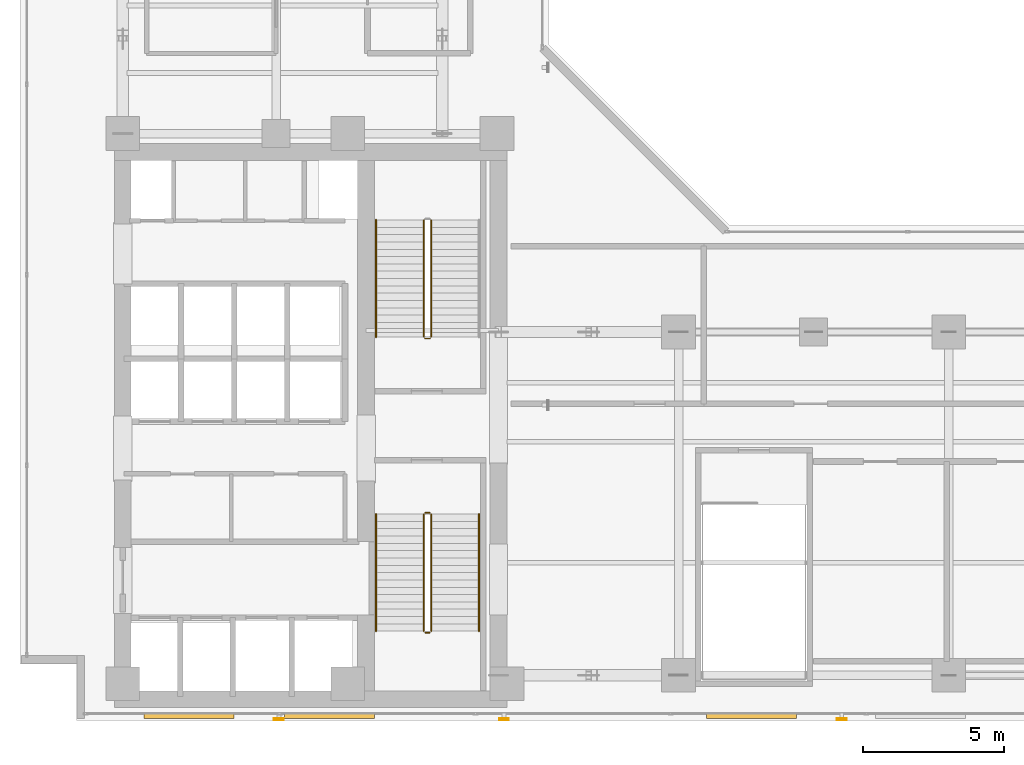
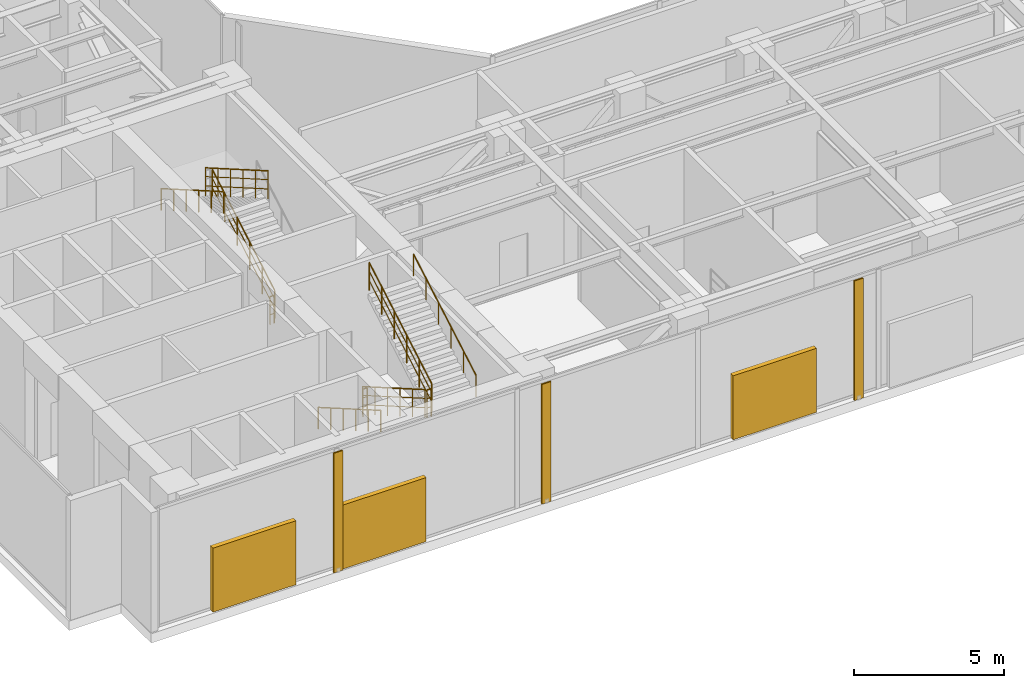
# One storey, part 34 of 36: 10 railings, 6 shading devices.
"""IFC4 building model written with IfcOpenShell, lengths in metres."""

from ifc_helpers import new_model, si_unit, direction, frame, origin, origin_with_axes, origin_2d, place, context, subcontext, project, spatial, rectangle, hollow_rectangle, circle, extrude, source, transform, mapped, material, material_profile, profile_set, type_object, element, save


model = new_model("IFC4")

# Units and contexts
model_context = context("Model", 3, precision=1e-05, world=origin(), true_north=direction((0.0, 1.0)))
body_context = subcontext(model_context, "Body", "Model", "MODEL_VIEW")
ifc_project = project(units=[si_unit("LENGTHUNIT", "METRE"), si_unit("AREAUNIT", "SQUARE_METRE"), si_unit("VOLUMEUNIT", "CUBIC_METRE"), si_unit("PLANEANGLEUNIT", "RADIAN"), si_unit("MASSUNIT", "GRAM", prefix="KILO")], contexts=[model_context])

# Site, building, storey
site_placement = place(None, origin())
site = spatial("IfcSite", under=ifc_project, at=site_placement, CompositionType="ELEMENT")
building_placement = place(site_placement, origin())
building = spatial("IfcBuilding", under=site, at=building_placement, Name="Kolvaren Waterfront Exchange", CompositionType="ELEMENT")
storey_placement = place(building_placement, frame((0.0, 0.0, 199.39990234375)))
storey = spatial("IfcBuildingStorey", under=building, at=storey_placement, Name="L51", CompositionType="ELEMENT", Elevation=199.39990234375)

# Shading devices
ifc_material_1 = material(Name="Anodised bronze aluminium 6063-T6", Category="aluminium")
ifc_material_profile = material_profile(ifc_material_1, hollow_rectangle(XDim=0.06005859375, YDim=0.35009765625, WallThickness=0.0048828125, at=origin_2d()), Name="BRZ-FIN-350x60x5")
ifc_profile_set = profile_set([ifc_material_profile], Name="Anodised bronze aluminium 6063-T6")
shading_device_type_1 = type_object("IfcShadingDeviceType", Name="ARC-FIN-350", PredefinedType="USERDEFINED", material=ifc_profile_set)
for number, where, z_axis, x_axis, name in (
    (1, (13.0, 3.639892578125, 0.0), (0.0, 0.0, 1.0), (0.0, -1.0, 0.0), "L51 anodised bronze solar shading fin FIN-L51-S1"),
    (2, (21.0, 3.639892578125, 0.0), (0.0, 0.0, 1.0), (0.0, -1.0, 0.0), "L51 anodised bronze solar shading fin FIN-L51-S2"),
    (3, (33.0, 3.639892578125, 0.0), (0.0, 0.0, 1.0), (0.0, -1.0, 0.0), "L51 anodised bronze solar shading fin FIN-L51-S3"),
):
    element("IfcShadingDevice", number, at=place(storey_placement, frame(where, z_axis=z_axis, x_axis=x_axis)), inside=storey, type_object=shading_device_type_1, Name=name, ObjectType="SOLAR FIN", PredefinedType="USERDEFINED", context=body_context, shape_type="SweptSolid", body=[
        extrude(hollow_rectangle(XDim=0.06005859375, YDim=0.35009765625, WallThickness=0.0048828125, at=origin_2d()), origin(), (0.0, 0.0, 1.0), 4.860107421875),
    ])

# Railings
ifc_material_2 = material(Name="Stainless steel 316", Category="steel")
railing_type_1 = type_object("IfcRailingType", Name="ARC-GUARD-STAIR", PredefinedType="GUARDRAIL", material=ifc_material_2)
railing_1_placement = place(storey_placement, frame((18.14990234375, 10.929931640625, 0.150146484375)))
element("IfcRailing", 4, at=railing_1_placement, inside=storey, type_object=railing_type_1, Name="L51 ST1 stair guard 1", PredefinedType="GUARDRAIL", context=body_context, shape_type="SweptSolid", body=[
    extrude(circle(Radius=0.02392578125, at=origin_2d()), frame((0.0, 0.0, 1.1259765625), z_axis=(0.0, -0.866189817626, 0.499715118684), x_axis=(1.0, 0.0, 0.0)), (0.0, 0.0, 1.0), 4.802490234375),
    extrude(circle(Radius=0.01611328125, at=origin_2d()), frame((0.0, 0.0, 0.390869140625), z_axis=(0.0, -0.866189817626, 0.499715118684), x_axis=(1.0, 0.0, 0.0)), (0.0, 0.0, 1.0), 4.802490234375),
    extrude(circle(Radius=0.01611328125, at=origin_2d()), frame((0.0, 0.0, 0.7705078125), z_axis=(0.0, -0.866189817626, 0.499715118684), x_axis=(1.0, 0.0, 0.0)), (0.0, 0.0, 1.0), 4.802490234375),
    extrude(circle(Radius=0.02099609375, at=origin_2d()), origin(), (0.0, 0.0, 1.0), 1.101806640625),
    extrude(circle(Radius=0.02099609375, at=origin_2d()), frame((0.0, -0.83203125, 0.47998046875)), (0.0, 0.0, 1.0), 1.101806640625),
    extrude(circle(Radius=0.02099609375, at=origin_2d()), frame((0.0, -1.6640625, 0.9599609375)), (0.0, 0.0, 1.0), 1.101806640625),
    extrude(circle(Radius=0.02099609375, at=origin_2d()), frame((0.0, -2.495849609375, 1.43994140625)), (0.0, 0.0, 1.0), 1.101806640625),
    extrude(circle(Radius=0.02099609375, at=origin_2d()), frame((0.0, -3.327880859375, 1.919921875)), (0.0, 0.0, 1.0), 1.101806640625),
    extrude(circle(Radius=0.02099609375, at=origin_2d()), frame((0.0, -4.159912109375, 2.39990234375)), (0.0, 0.0, 1.0), 1.101806640625),
])
railing_2_placement = place(storey_placement, frame((18.199951171875, 6.719970703125, 2.550048828125)))
element("IfcRailing", 5, at=railing_2_placement, inside=storey, type_object=railing_type_1, Name="L51 ST1 stair guard 2", PredefinedType="GUARDRAIL", context=body_context, shape_type="SweptSolid", body=[
    extrude(circle(Radius=0.02392578125, at=origin_2d()), frame((0.0, 0.0, 1.1259765625), z_axis=(1.0, 0.0, 0.0), x_axis=(0.0, 1.0, 0.0)), (0.0, 0.0, 1.0), 0.16015625),
    extrude(circle(Radius=0.01611328125, at=origin_2d()), frame((0.0, 0.0, 0.390869140625), z_axis=(1.0, 0.0, 0.0), x_axis=(0.0, 1.0, 0.0)), (0.0, 0.0, 1.0), 0.16015625),
    extrude(circle(Radius=0.01611328125, at=origin_2d()), frame((0.0, 0.0, 0.7705078125), z_axis=(1.0, 0.0, 0.0), x_axis=(0.0, 1.0, 0.0)), (0.0, 0.0, 1.0), 0.16015625),
    extrude(circle(Radius=0.02099609375, at=origin_2d()), origin(), (0.0, 0.0, 1.0), 1.101806640625),
    extrude(circle(Radius=0.02099609375, at=origin_2d()), frame((0.16015625, 0.0, 0.0)), (0.0, 0.0, 1.0), 1.101806640625),
])
railing_3_placement = place(storey_placement, frame((18.409912109375, 6.77001953125, 2.7001953125)))
element("IfcRailing", 6, at=railing_3_placement, inside=storey, type_object=railing_type_1, Name="L51 ST1 stair guard 3", PredefinedType="GUARDRAIL", context=body_context, shape_type="SweptSolid", body=[
    extrude(circle(Radius=0.02392578125, at=origin_2d()), frame((0.0, 0.0, 1.1259765625), z_axis=(0.0, 0.866189817626, 0.499715118684), x_axis=(-1.0, 0.0, 0.0)), (0.0, 0.0, 1.0), 4.802490234375),
    extrude(circle(Radius=0.01611328125, at=origin_2d()), frame((0.0, 0.0, 0.390869140625), z_axis=(0.0, 0.866189817626, 0.499715118684), x_axis=(-1.0, 0.0, 0.0)), (0.0, 0.0, 1.0), 4.802490234375),
    extrude(circle(Radius=0.01611328125, at=origin_2d()), frame((0.0, 0.0, 0.7705078125), z_axis=(0.0, 0.866189817626, 0.499715118684), x_axis=(-1.0, 0.0, 0.0)), (0.0, 0.0, 1.0), 4.802490234375),
    extrude(circle(Radius=0.02099609375, at=origin_2d()), origin(), (0.0, 0.0, 1.0), 1.101806640625),
    extrude(circle(Radius=0.02099609375, at=origin_2d()), frame((0.0, 0.83203125, 0.47998046875)), (0.0, 0.0, 1.0), 1.101806640625),
    extrude(circle(Radius=0.02099609375, at=origin_2d()), frame((0.0, 1.6640625, 0.9599609375)), (0.0, 0.0, 1.0), 1.101806640625),
    extrude(circle(Radius=0.02099609375, at=origin_2d()), frame((0.0, 2.495849609375, 1.43994140625)), (0.0, 0.0, 1.0), 1.101806640625),
    extrude(circle(Radius=0.02099609375, at=origin_2d()), frame((0.0, 3.327880859375, 1.919921875)), (0.0, 0.0, 1.0), 1.101806640625),
    extrude(circle(Radius=0.02099609375, at=origin_2d()), frame((0.0, 4.159912109375, 2.39990234375)), (0.0, 0.0, 1.0), 1.101806640625),
])
railing_4_placement = place(storey_placement, frame((18.199951171875, 10.97998046875, 0.0)))
element("IfcRailing", 7, at=railing_4_placement, inside=storey, type_object=railing_type_1, Name="L51 ST1 stair guard 4", PredefinedType="GUARDRAIL", context=body_context, shape_type="SweptSolid", body=[
    extrude(circle(Radius=0.02392578125, at=origin_2d()), frame((0.0, 0.0, 1.1259765625), z_axis=(1.0, 0.0, 0.0), x_axis=(0.0, 1.0, 0.0)), (0.0, 0.0, 1.0), 0.16015625),
    extrude(circle(Radius=0.01611328125, at=origin_2d()), frame((0.0, 0.0, 0.390869140625), z_axis=(1.0, 0.0, 0.0), x_axis=(0.0, 1.0, 0.0)), (0.0, 0.0, 1.0), 0.16015625),
    extrude(circle(Radius=0.01611328125, at=origin_2d()), frame((0.0, 0.0, 0.7705078125), z_axis=(1.0, 0.0, 0.0), x_axis=(0.0, 1.0, 0.0)), (0.0, 0.0, 1.0), 0.16015625),
    extrude(circle(Radius=0.02099609375, at=origin_2d()), origin(), (0.0, 0.0, 1.0), 1.101806640625),
    extrude(circle(Radius=0.02099609375, at=origin_2d()), frame((0.16015625, 0.0, 0.0)), (0.0, 0.0, 1.0), 1.101806640625),
])
railing_5_placement = place(storey_placement, frame((18.409912109375, 17.219970703125, 0.150146484375)))
element("IfcRailing", 8, at=railing_5_placement, inside=storey, type_object=railing_type_1, Name="L51 ST2 stair guard 1", PredefinedType="GUARDRAIL", context=body_context, shape_type="SweptSolid", body=[
    extrude(circle(Radius=0.02392578125, at=origin_2d()), frame((0.0, 0.0, 1.1259765625), z_axis=(0.0, 0.866189817626, 0.499715118684), x_axis=(-1.0, 0.0, 0.0)), (0.0, 0.0, 1.0), 4.802490234375),
    extrude(circle(Radius=0.01611328125, at=origin_2d()), frame((0.0, 0.0, 0.390869140625), z_axis=(0.0, 0.866189817626, 0.499715118684), x_axis=(-1.0, 0.0, 0.0)), (0.0, 0.0, 1.0), 4.802490234375),
    extrude(circle(Radius=0.01611328125, at=origin_2d()), frame((0.0, 0.0, 0.7705078125), z_axis=(0.0, 0.866189817626, 0.499715118684), x_axis=(-1.0, 0.0, 0.0)), (0.0, 0.0, 1.0), 4.802490234375),
    extrude(circle(Radius=0.02099609375, at=origin_2d()), origin(), (0.0, 0.0, 1.0), 1.101806640625),
    extrude(circle(Radius=0.02099609375, at=origin_2d()), frame((0.0, 0.83203125, 0.47998046875)), (0.0, 0.0, 1.0), 1.101806640625),
    extrude(circle(Radius=0.02099609375, at=origin_2d()), frame((0.0, 1.6640625, 0.9599609375)), (0.0, 0.0, 1.0), 1.101806640625),
    extrude(circle(Radius=0.02099609375, at=origin_2d()), frame((0.0, 2.495849609375, 1.43994140625)), (0.0, 0.0, 1.0), 1.101806640625),
    extrude(circle(Radius=0.02099609375, at=origin_2d()), frame((0.0, 3.327880859375, 1.919921875)), (0.0, 0.0, 1.0), 1.101806640625),
    extrude(circle(Radius=0.02099609375, at=origin_2d()), frame((0.0, 4.159912109375, 2.39990234375)), (0.0, 0.0, 1.0), 1.101806640625),
])
railing_6_placement = place(storey_placement, frame((18.14990234375, 21.3798828125, 2.7001953125)))
element("IfcRailing", 9, at=railing_6_placement, inside=storey, type_object=railing_type_1, Name="L51 ST2 stair guard 3", PredefinedType="GUARDRAIL", context=body_context, shape_type="SweptSolid", body=[
    extrude(circle(Radius=0.02392578125, at=origin_2d()), frame((0.0, 0.0, 1.1259765625), z_axis=(0.0, -0.866189817626, 0.499715118684), x_axis=(1.0, 0.0, 0.0)), (0.0, 0.0, 1.0), 4.802490234375),
    extrude(circle(Radius=0.01611328125, at=origin_2d()), frame((0.0, 0.0, 0.390869140625), z_axis=(0.0, -0.866189817626, 0.499715118684), x_axis=(1.0, 0.0, 0.0)), (0.0, 0.0, 1.0), 4.802490234375),
    extrude(circle(Radius=0.01611328125, at=origin_2d()), frame((0.0, 0.0, 0.7705078125), z_axis=(0.0, -0.866189817626, 0.499715118684), x_axis=(1.0, 0.0, 0.0)), (0.0, 0.0, 1.0), 4.802490234375),
    extrude(circle(Radius=0.02099609375, at=origin_2d()), origin(), (0.0, 0.0, 1.0), 1.101806640625),
    extrude(circle(Radius=0.02099609375, at=origin_2d()), frame((0.0, -0.83203125, 0.47998046875)), (0.0, 0.0, 1.0), 1.101806640625),
    extrude(circle(Radius=0.02099609375, at=origin_2d()), frame((0.0, -1.6640625, 0.9599609375)), (0.0, 0.0, 1.0), 1.101806640625),
    extrude(circle(Radius=0.02099609375, at=origin_2d()), frame((0.0, -2.495849609375, 1.43994140625)), (0.0, 0.0, 1.0), 1.101806640625),
    extrude(circle(Radius=0.02099609375, at=origin_2d()), frame((0.0, -3.327880859375, 1.919921875)), (0.0, 0.0, 1.0), 1.101806640625),
    extrude(circle(Radius=0.02099609375, at=origin_2d()), frame((0.0, -4.159912109375, 2.39990234375)), (0.0, 0.0, 1.0), 1.101806640625),
])
railing_7_placement = place(storey_placement, frame((18.360107421875, 17.169921875, 0.0)))
element("IfcRailing", 10, at=railing_7_placement, inside=storey, type_object=railing_type_1, Name="L51 ST2 stair guard 4", PredefinedType="GUARDRAIL", context=body_context, shape_type="SweptSolid", body=[
    extrude(circle(Radius=0.02392578125, at=origin_2d()), frame((0.0, 0.0, 1.1259765625), z_axis=(-1.0, 0.0, 0.0), x_axis=(0.0, -1.0, 0.0)), (0.0, 0.0, 1.0), 0.16015625),
    extrude(circle(Radius=0.01611328125, at=origin_2d()), frame((0.0, 0.0, 0.390869140625), z_axis=(-1.0, 0.0, 0.0), x_axis=(0.0, -1.0, 0.0)), (0.0, 0.0, 1.0), 0.16015625),
    extrude(circle(Radius=0.01611328125, at=origin_2d()), frame((0.0, 0.0, 0.7705078125), z_axis=(-1.0, 0.0, 0.0), x_axis=(0.0, -1.0, 0.0)), (0.0, 0.0, 1.0), 0.16015625),
    extrude(circle(Radius=0.02099609375, at=origin_2d()), origin(), (0.0, 0.0, 1.0), 1.101806640625),
    extrude(circle(Radius=0.02099609375, at=origin_2d()), frame((-0.16015625, 0.0, 0.0)), (0.0, 0.0, 1.0), 1.101806640625),
])
railing_type_2 = type_object("IfcRailingType", Name="ARC-HANDRAIL-900", PredefinedType="HANDRAIL", material=ifc_material_2)
railing_8_placement = place(storey_placement, frame((16.449951171875, 10.929931640625, 0.150146484375)))
element("IfcRailing", 11, at=railing_8_placement, inside=storey, type_object=railing_type_2, Name="L51 ST1 stair handrail 1", PredefinedType="HANDRAIL", context=body_context, shape_type="SweptSolid", body=[
    extrude(circle(Radius=0.02392578125, at=origin_2d()), frame((0.0, 0.0, 0.8759765625), z_axis=(0.0, -0.866189817626, 0.499715118684), x_axis=(1.0, 0.0, 0.0)), (0.0, 0.0, 1.0), 4.802490234375),
    extrude(circle(Radius=0.02099609375, at=origin_2d()), origin(), (0.0, 0.0, 1.0), 0.851806640625),
    extrude(circle(Radius=0.02099609375, at=origin_2d()), frame((0.0, -0.83203125, 0.47998046875)), (0.0, 0.0, 1.0), 0.851806640625),
    extrude(circle(Radius=0.02099609375, at=origin_2d()), frame((0.0, -1.6640625, 0.9599609375)), (0.0, 0.0, 1.0), 0.851806640625),
    extrude(circle(Radius=0.02099609375, at=origin_2d()), frame((0.0, -2.495849609375, 1.43994140625)), (0.0, 0.0, 1.0), 0.851806640625),
    extrude(circle(Radius=0.02099609375, at=origin_2d()), frame((0.0, -3.327880859375, 1.919921875)), (0.0, 0.0, 1.0), 0.851806640625),
    extrude(circle(Radius=0.02099609375, at=origin_2d()), frame((0.0, -4.159912109375, 2.39990234375)), (0.0, 0.0, 1.0), 0.851806640625),
])
railing_9_placement = place(storey_placement, frame((20.110107421875, 6.77001953125, 2.7001953125)))
element("IfcRailing", 12, at=railing_9_placement, inside=storey, type_object=railing_type_2, Name="L51 ST1 stair handrail 2", PredefinedType="HANDRAIL", context=body_context, shape_type="SweptSolid", body=[
    extrude(circle(Radius=0.02392578125, at=origin_2d()), frame((0.0, 0.0, 0.8759765625), z_axis=(0.0, 0.866189817626, 0.499715118684), x_axis=(-1.0, 0.0, 0.0)), (0.0, 0.0, 1.0), 4.802490234375),
    extrude(circle(Radius=0.02099609375, at=origin_2d()), origin(), (0.0, 0.0, 1.0), 0.851806640625),
    extrude(circle(Radius=0.02099609375, at=origin_2d()), frame((0.0, 0.83203125, 0.47998046875)), (0.0, 0.0, 1.0), 0.851806640625),
    extrude(circle(Radius=0.02099609375, at=origin_2d()), frame((0.0, 1.6640625, 0.9599609375)), (0.0, 0.0, 1.0), 0.851806640625),
    extrude(circle(Radius=0.02099609375, at=origin_2d()), frame((0.0, 2.495849609375, 1.43994140625)), (0.0, 0.0, 1.0), 0.851806640625),
    extrude(circle(Radius=0.02099609375, at=origin_2d()), frame((0.0, 3.327880859375, 1.919921875)), (0.0, 0.0, 1.0), 0.851806640625),
    extrude(circle(Radius=0.02099609375, at=origin_2d()), frame((0.0, 4.159912109375, 2.39990234375)), (0.0, 0.0, 1.0), 0.851806640625),
])
railing_10_placement = place(storey_placement, frame((16.449951171875, 21.3798828125, 2.7001953125)))
element("IfcRailing", 13, at=railing_10_placement, inside=storey, type_object=railing_type_2, Name="L51 ST2 stair handrail 2", PredefinedType="HANDRAIL", context=body_context, shape_type="SweptSolid", body=[
    extrude(circle(Radius=0.02392578125, at=origin_2d()), frame((0.0, 0.0, 0.8759765625), z_axis=(0.0, -0.866189817626, 0.499715118684), x_axis=(1.0, 0.0, 0.0)), (0.0, 0.0, 1.0), 4.802490234375),
    extrude(circle(Radius=0.02099609375, at=origin_2d()), origin(), (0.0, 0.0, 1.0), 0.851806640625),
    extrude(circle(Radius=0.02099609375, at=origin_2d()), frame((0.0, -0.83203125, 0.47998046875)), (0.0, 0.0, 1.0), 0.851806640625),
    extrude(circle(Radius=0.02099609375, at=origin_2d()), frame((0.0, -1.6640625, 0.9599609375)), (0.0, 0.0, 1.0), 0.851806640625),
    extrude(circle(Radius=0.02099609375, at=origin_2d()), frame((0.0, -2.495849609375, 1.43994140625)), (0.0, 0.0, 1.0), 0.851806640625),
    extrude(circle(Radius=0.02099609375, at=origin_2d()), frame((0.0, -3.327880859375, 1.919921875)), (0.0, 0.0, 1.0), 0.851806640625),
    extrude(circle(Radius=0.02099609375, at=origin_2d()), frame((0.0, -4.159912109375, 2.39990234375)), (0.0, 0.0, 1.0), 0.851806640625),
])

# Shading devices
shading_device_type_2 = type_object("IfcShadingDeviceType", Name="ARC-SHD-LOUVRE", PredefinedType="USERDEFINED", material=ifc_material_1)
shared_shape = source(origin_with_axes(), body_context, "Body", "SweptSolid", [
    extrude(rectangle(XDim=3.199951171875, YDim=0.179931640625, at=origin_2d()), origin(), (0.0, 0.0, 1.0), 2.60009765625),
])
for number, where, z_axis, x_axis, name in (
    (14, (9.800048828125, 3.75, 0.0), (0.0, 0.0, 1.0), (1.0, 0.0, 0.0), "L51 acoustic weather intake louvre 1"),
    (15, (14.800048828125, 3.75, 0.0), (0.0, 0.0, 1.0), (1.0, 0.0, 0.0), "L51 acoustic weather intake louvre 2"),
    (16, (29.800048828125, 3.75, 0.0), (0.0, 0.0, 1.0), (1.0, 0.0, 0.0), "L51 acoustic weather intake louvre 3"),
):
    element("IfcShadingDevice", number, at=place(storey_placement, frame(where, z_axis=z_axis, x_axis=x_axis)), inside=storey, type_object=shading_device_type_2, Name=name, ObjectType="LOUVRE", PredefinedType="USERDEFINED", context=body_context, shape_type="MappedRepresentation", body=[
        mapped(shared_shape, transform((0.0, 0.0, 0.0), x_axis=(1.0, 0.0, 0.0), y_axis=(0.0, 1.0, 0.0), z_axis=(0.0, 0.0, 1.0), scale=1.0)),
    ])

save(model, "model.ifc")
